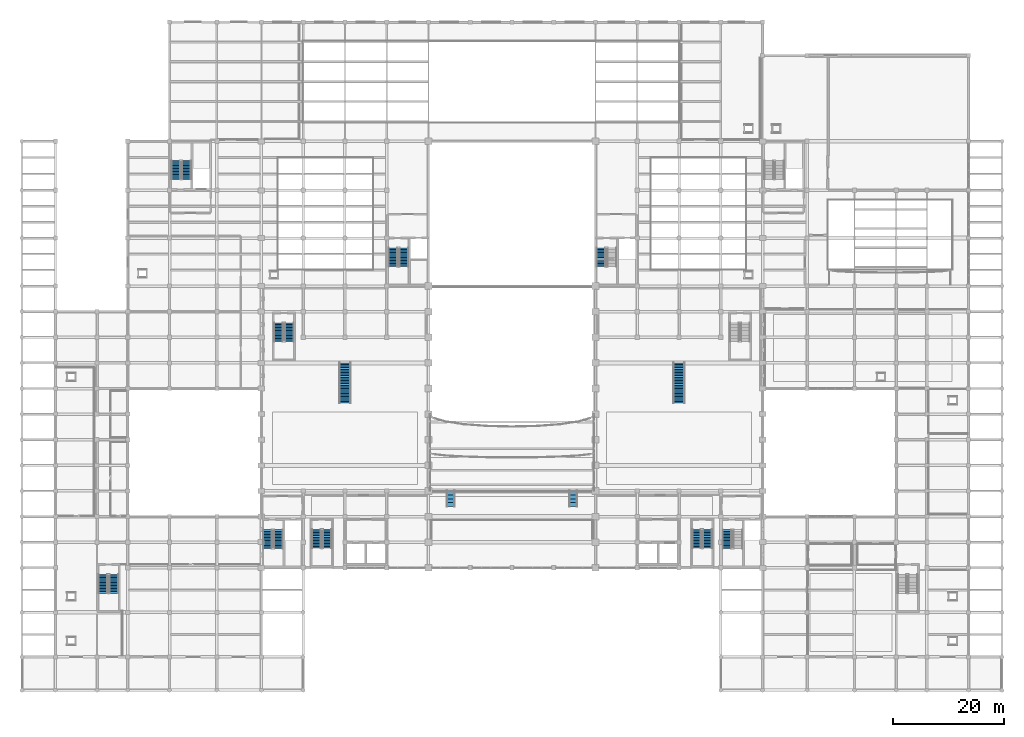
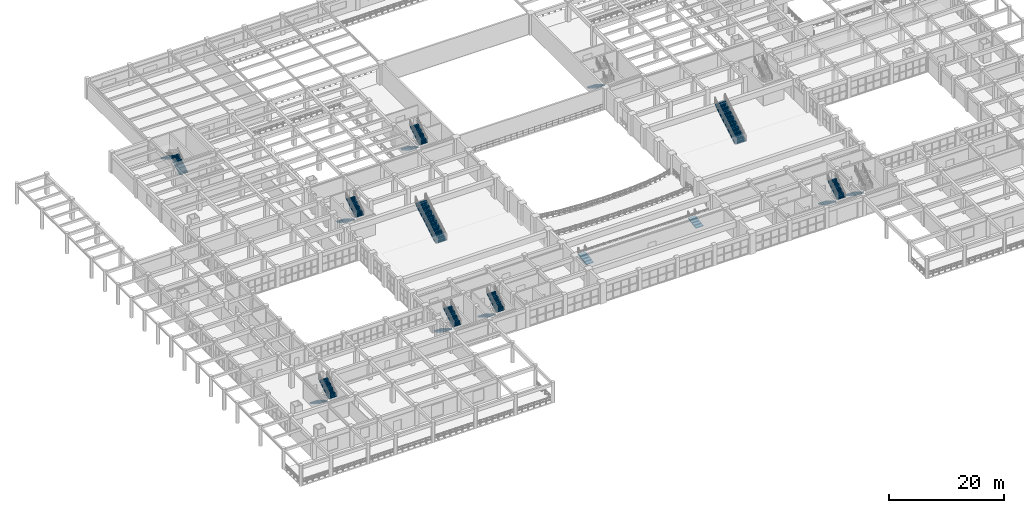
# One storey, part 104 of 116: 20 stair flights, 13 elements without a shape of their own.
"""IFC4 building model written with IfcOpenShell, lengths in metres."""

from ifc_helpers import new_model, si_unit, direction, frame, origin, place, context, subcontext, project, spatial, polyline, outline, extrude, material, type_object, element, aggregate, save


model = new_model("IFC4")

# Units and contexts
model_context = context("Model", 3, precision=1e-05, world=origin(), true_north=direction((0.0, 1.0)))
body_context = subcontext(model_context, "Body", "Model", "MODEL_VIEW")
ifc_project = project(units=[si_unit("LENGTHUNIT", "METRE"), si_unit("AREAUNIT", "SQUARE_METRE"), si_unit("VOLUMEUNIT", "CUBIC_METRE"), si_unit("PLANEANGLEUNIT", "RADIAN"), si_unit("MASSUNIT", "GRAM", prefix="KILO")], contexts=[model_context])

# Site, building, storey
site_placement = place(None, origin())
site = spatial("IfcSite", under=ifc_project, at=site_placement, CompositionType="ELEMENT")
building_placement = place(site_placement, origin())
building = spatial("IfcBuilding", under=site, at=building_placement, Name="Muzn Square Opera House", CompositionType="ELEMENT")
storey_placement = place(building_placement, frame((0.0, 0.0, 5.39990234375)))
storey = spatial("IfcBuildingStorey", under=building, at=storey_placement, Name="L01", CompositionType="ELEMENT", Elevation=5.39990234375)

# Stair, stair flights
ifc_material = material(Name="Concrete C40/50", Category="concrete")
stair_type_1 = type_object("IfcStairType", Name="Core Escape Dogleg Stair", PredefinedType="HALF_TURN_STAIR", material=ifc_material)
stair_1_placement = place(storey_placement, origin())
stair_1 = element("IfcStair", 1, at=stair_1_placement, inside=storey, type_object=stair_type_1, Name="L01 Escape Stair ST-1", PredefinedType="HALF_TURN_STAIR")
stair_flight_type_1 = type_object("IfcStairFlightType", Name="Core Stair Flight 1660mm", PredefinedType="STRAIGHT", material=ifc_material)
stair_flight_1_placement = place(storey_placement, frame((66.6298828125, 79.43994140625, 0.0), z_axis=(0.0, 0.0, 1.0), x_axis=(0.0, -1.0, 0.0)))
stair_flight_1 = element("IfcStairFlight", 2, at=stair_flight_1_placement, type_object=stair_flight_type_1, Name="ST-1 flight 1", NumberOfRisers=13, NumberOfTreads=12, PredefinedType="STRAIGHT", RiserHeight=0.169230769, TreadLength=0.28, context=body_context, shape_type="SweptSolid", body=[
    extrude(outline(polyline([(0.0, 0.0), (0.0, 0.169189453125), (0.280029296875, 0.169189453125), (0.280029296875, 0.33837890625), (0.56005859375, 0.33837890625), (0.56005859375, 0.5078125), (0.840087890625, 0.5078125), (0.840087890625, 0.677001953125), (1.1201171875, 0.677001953125), (1.1201171875, 0.84619140625), (1.39990234375, 0.84619140625), (1.39990234375, 1.015380859375), (1.679931640625, 1.015380859375), (1.679931640625, 1.1845703125), (1.9599609375, 1.1845703125), (1.9599609375, 1.353759765625), (2.239990234375, 1.353759765625), (2.239990234375, 1.523193359375), (2.52001953125, 1.523193359375), (2.52001953125, 1.6923828125), (2.800048828125, 1.6923828125), (2.800048828125, 1.861572265625), (3.080078125, 1.861572265625), (3.080078125, 2.03076171875), (3.360107421875, 2.03076171875), (3.360107421875, 2.199951171875), (3.360107421875, 1.820556640625), (0.347900390625, 0.0), (0.0, 0.0)])), frame((0.0, 0.830078125, 0.0), z_axis=(0.0, -1.0, 0.0), x_axis=(1.0, 0.0, 0.0)), (0.0, 0.0, 1.0), 1.659912109375),
])
stair_flight_2_placement = place(storey_placement, frame((68.570068359375, 76.080078125, 2.2001953125), z_axis=(0.0, 0.0, 1.0), x_axis=(0.0, 1.0, 0.0)))
stair_flight_2 = element("IfcStairFlight", 3, at=stair_flight_2_placement, type_object=stair_flight_type_1, Name="ST-1 flight 2", NumberOfRisers=13, NumberOfTreads=12, PredefinedType="STRAIGHT", RiserHeight=0.169230769, TreadLength=0.28, context=body_context, shape_type="SweptSolid", body=[
    extrude(outline(polyline([(0.0, 0.0), (0.0, 0.169189453125), (0.280029296875, 0.169189453125), (0.280029296875, 0.33837890625), (0.56005859375, 0.33837890625), (0.56005859375, 0.5078125), (0.840087890625, 0.5078125), (0.840087890625, 0.677001953125), (1.1201171875, 0.677001953125), (1.1201171875, 0.84619140625), (1.39990234375, 0.84619140625), (1.39990234375, 1.015380859375), (1.679931640625, 1.015380859375), (1.679931640625, 1.1845703125), (1.9599609375, 1.1845703125), (1.9599609375, 1.353759765625), (2.239990234375, 1.353759765625), (2.239990234375, 1.523193359375), (2.52001953125, 1.523193359375), (2.52001953125, 1.6923828125), (2.800048828125, 1.6923828125), (2.800048828125, 1.861572265625), (3.080078125, 1.861572265625), (3.080078125, 2.03076171875), (3.360107421875, 2.03076171875), (3.360107421875, 2.199951171875), (3.360107421875, 1.820556640625), (0.347900390625, 0.0), (0.0, 0.0)])), frame((0.0, 0.830078125, 0.0), z_axis=(0.0, -1.0, 0.0), x_axis=(1.0, 0.0, 0.0)), (0.0, 0.0, 1.0), 1.659912109375),
])
aggregate(stair_1, [stair_flight_1, stair_flight_2])

# Stair, stair flight
stair_2_placement = place(storey_placement, origin())
stair_2 = element("IfcStair", 4, at=stair_2_placement, inside=storey, type_object=stair_type_1, Name="L01 Escape Stair ST-2", PredefinedType="HALF_TURN_STAIR")
stair_flight_3_placement = place(storey_placement, frame((104.0, 79.43994140625, 0.0), z_axis=(0.0, 0.0, 1.0), x_axis=(0.0, -1.0, 0.0)))
stair_flight_3 = element("IfcStairFlight", 5, at=stair_flight_3_placement, type_object=stair_flight_type_1, Name="ST-2 flight 1", NumberOfRisers=13, NumberOfTreads=12, PredefinedType="STRAIGHT", RiserHeight=0.169230769, TreadLength=0.28, context=body_context, shape_type="SweptSolid", body=[
    extrude(outline(polyline([(0.0, 0.0), (0.0, 0.169189453125), (0.280029296875, 0.169189453125), (0.280029296875, 0.33837890625), (0.56005859375, 0.33837890625), (0.56005859375, 0.5078125), (0.840087890625, 0.5078125), (0.840087890625, 0.677001953125), (1.1201171875, 0.677001953125), (1.1201171875, 0.84619140625), (1.39990234375, 0.84619140625), (1.39990234375, 1.015380859375), (1.679931640625, 1.015380859375), (1.679931640625, 1.1845703125), (1.9599609375, 1.1845703125), (1.9599609375, 1.353759765625), (2.239990234375, 1.353759765625), (2.239990234375, 1.523193359375), (2.52001953125, 1.523193359375), (2.52001953125, 1.6923828125), (2.800048828125, 1.6923828125), (2.800048828125, 1.861572265625), (3.080078125, 1.861572265625), (3.080078125, 2.03076171875), (3.360107421875, 2.03076171875), (3.360107421875, 2.199951171875), (3.360107421875, 1.820556640625), (0.347900390625, 0.0), (0.0, 0.0)])), frame((0.0, 0.830078125, 0.0), z_axis=(0.0, -1.0, 0.0), x_axis=(1.0, 0.0, 0.0)), (0.0, 0.0, 1.0), 1.659912109375),
])
aggregate(stair_2, [stair_flight_3])

# Stair, stair flights
stair_3_placement = place(storey_placement, origin())
stair_3 = element("IfcStair", 6, at=stair_3_placement, inside=storey, type_object=stair_type_1, Name="L01 Escape Stair ST-3", PredefinedType="HALF_TURN_STAIR")
stair_flight_4_placement = place(storey_placement, frame((44.1298828125, 28.840087890625, 0.0), z_axis=(0.0, 0.0, 1.0), x_axis=(0.0, -1.0, 0.0)))
stair_flight_4 = element("IfcStairFlight", 7, at=stair_flight_4_placement, type_object=stair_flight_type_1, Name="ST-3 flight 1", NumberOfRisers=13, NumberOfTreads=12, PredefinedType="STRAIGHT", RiserHeight=0.169230769, TreadLength=0.28, context=body_context, shape_type="SweptSolid", body=[
    extrude(outline(polyline([(0.0, 0.0), (0.0, 0.169189453125), (0.280029296875, 0.169189453125), (0.280029296875, 0.33837890625), (0.56005859375, 0.33837890625), (0.56005859375, 0.5078125), (0.840087890625, 0.5078125), (0.840087890625, 0.677001953125), (1.1201171875, 0.677001953125), (1.1201171875, 0.84619140625), (1.39990234375, 0.84619140625), (1.39990234375, 1.015380859375), (1.679931640625, 1.015380859375), (1.679931640625, 1.1845703125), (1.9599609375, 1.1845703125), (1.9599609375, 1.353759765625), (2.239990234375, 1.353759765625), (2.239990234375, 1.523193359375), (2.52001953125, 1.523193359375), (2.52001953125, 1.6923828125), (2.800048828125, 1.6923828125), (2.800048828125, 1.861572265625), (3.080078125, 1.861572265625), (3.080078125, 2.03076171875), (3.360107421875, 2.03076171875), (3.360107421875, 2.199951171875), (3.360107421875, 1.820556640625), (0.347900390625, 0.0), (0.0, 0.0)])), frame((0.0, 0.830078125, 0.0), z_axis=(0.0, -1.0, 0.0), x_axis=(1.0, 0.0, 0.0)), (0.0, 0.0, 1.0), 1.659912109375),
])
stair_flight_5_placement = place(storey_placement, frame((46.070068359375, 25.47998046875, 2.2001953125), z_axis=(0.0, 0.0, 1.0), x_axis=(0.0, 1.0, 0.0)))
stair_flight_5 = element("IfcStairFlight", 8, at=stair_flight_5_placement, type_object=stair_flight_type_1, Name="ST-3 flight 2", NumberOfRisers=13, NumberOfTreads=12, PredefinedType="STRAIGHT", RiserHeight=0.169230769, TreadLength=0.28, context=body_context, shape_type="SweptSolid", body=[
    extrude(outline(polyline([(0.0, 0.0), (0.0, 0.169189453125), (0.280029296875, 0.169189453125), (0.280029296875, 0.33837890625), (0.56005859375, 0.33837890625), (0.56005859375, 0.5078125), (0.840087890625, 0.5078125), (0.840087890625, 0.677001953125), (1.1201171875, 0.677001953125), (1.1201171875, 0.84619140625), (1.39990234375, 0.84619140625), (1.39990234375, 1.015380859375), (1.679931640625, 1.015380859375), (1.679931640625, 1.1845703125), (1.9599609375, 1.1845703125), (1.9599609375, 1.353759765625), (2.239990234375, 1.353759765625), (2.239990234375, 1.523193359375), (2.52001953125, 1.523193359375), (2.52001953125, 1.6923828125), (2.800048828125, 1.6923828125), (2.800048828125, 1.861572265625), (3.080078125, 1.861572265625), (3.080078125, 2.03076171875), (3.360107421875, 2.03076171875), (3.360107421875, 2.199951171875), (3.360107421875, 1.820556640625), (0.347900390625, 0.0), (0.0, 0.0)])), frame((0.0, 0.830078125, 0.0), z_axis=(0.0, -1.0, 0.0), x_axis=(1.0, 0.0, 0.0)), (0.0, 0.0, 1.0), 1.659912109375),
])
aggregate(stair_3, [stair_flight_4, stair_flight_5])

# Stair, stair flight
stair_4_placement = place(storey_placement, origin())
stair_4 = element("IfcStair", 9, at=stair_4_placement, inside=storey, type_object=stair_type_1, Name="L01 Escape Stair ST-4", PredefinedType="HALF_TURN_STAIR")
stair_flight_6_placement = place(storey_placement, frame((126.6298828125, 28.840087890625, 0.0), z_axis=(0.0, 0.0, 1.0), x_axis=(0.0, -1.0, 0.0)))
stair_flight_6 = element("IfcStairFlight", 10, at=stair_flight_6_placement, type_object=stair_flight_type_1, Name="ST-4 flight 1", NumberOfRisers=13, NumberOfTreads=12, PredefinedType="STRAIGHT", RiserHeight=0.169230769, TreadLength=0.28, context=body_context, shape_type="SweptSolid", body=[
    extrude(outline(polyline([(0.0, 0.0), (0.0, 0.169189453125), (0.280029296875, 0.169189453125), (0.280029296875, 0.33837890625), (0.56005859375, 0.33837890625), (0.56005859375, 0.5078125), (0.840087890625, 0.5078125), (0.840087890625, 0.677001953125), (1.1201171875, 0.677001953125), (1.1201171875, 0.84619140625), (1.39990234375, 0.84619140625), (1.39990234375, 1.015380859375), (1.679931640625, 1.015380859375), (1.679931640625, 1.1845703125), (1.9599609375, 1.1845703125), (1.9599609375, 1.353759765625), (2.239990234375, 1.353759765625), (2.239990234375, 1.523193359375), (2.52001953125, 1.523193359375), (2.52001953125, 1.6923828125), (2.800048828125, 1.6923828125), (2.800048828125, 1.861572265625), (3.080078125, 1.861572265625), (3.080078125, 2.03076171875), (3.360107421875, 2.03076171875), (3.360107421875, 2.199951171875), (3.360107421875, 1.820556640625), (0.347900390625, 0.0), (0.0, 0.0)])), frame((0.0, 0.830078125, 0.0), z_axis=(0.0, -1.0, 0.0), x_axis=(1.0, 0.0, 0.0)), (0.0, 0.0, 1.0), 1.659912109375),
])
aggregate(stair_4, [stair_flight_6])

# Stair, stair flights
stair_5_placement = place(storey_placement, origin())
stair_5 = element("IfcStair", 11, at=stair_5_placement, inside=storey, type_object=stair_type_1, Name="L01 Escape Stair ST-6", PredefinedType="HALF_TURN_STAIR")
stair_flight_7_placement = place(storey_placement, frame((29.570068359375, 91.760009765625, 0.0), z_axis=(0.0, 0.0, 1.0), x_axis=(0.0, 1.0, 0.0)))
stair_flight_7 = element("IfcStairFlight", 12, at=stair_flight_7_placement, type_object=stair_flight_type_1, Name="ST-6 flight 1", NumberOfRisers=13, NumberOfTreads=12, PredefinedType="STRAIGHT", RiserHeight=0.169230769, TreadLength=0.28, context=body_context, shape_type="SweptSolid", body=[
    extrude(outline(polyline([(0.0, 0.0), (0.0, 0.169189453125), (0.280029296875, 0.169189453125), (0.280029296875, 0.33837890625), (0.56005859375, 0.33837890625), (0.56005859375, 0.5078125), (0.840087890625, 0.5078125), (0.840087890625, 0.677001953125), (1.1201171875, 0.677001953125), (1.1201171875, 0.84619140625), (1.39990234375, 0.84619140625), (1.39990234375, 1.015380859375), (1.679931640625, 1.015380859375), (1.679931640625, 1.1845703125), (1.9599609375, 1.1845703125), (1.9599609375, 1.353759765625), (2.239990234375, 1.353759765625), (2.239990234375, 1.523193359375), (2.52001953125, 1.523193359375), (2.52001953125, 1.6923828125), (2.800048828125, 1.6923828125), (2.800048828125, 1.861572265625), (3.080078125, 1.861572265625), (3.080078125, 2.03076171875), (3.360107421875, 2.03076171875), (3.360107421875, 2.199951171875), (3.360107421875, 1.820556640625), (0.347900390625, 0.0), (0.0, 0.0)])), frame((0.0, 0.830078125, 0.0), z_axis=(0.0, -1.0, 0.0), x_axis=(1.0, 0.0, 0.0)), (0.0, 0.0, 1.0), 1.659912109375),
])
stair_flight_8_placement = place(storey_placement, frame((27.6298828125, 95.1201171875, 2.2001953125), z_axis=(0.0, 0.0, 1.0), x_axis=(0.0, -1.0, 0.0)))
stair_flight_8 = element("IfcStairFlight", 13, at=stair_flight_8_placement, type_object=stair_flight_type_1, Name="ST-6 flight 2", NumberOfRisers=13, NumberOfTreads=12, PredefinedType="STRAIGHT", RiserHeight=0.169230769, TreadLength=0.28, context=body_context, shape_type="SweptSolid", body=[
    extrude(outline(polyline([(0.0, 0.0), (0.0, 0.169189453125), (0.280029296875, 0.169189453125), (0.280029296875, 0.33837890625), (0.56005859375, 0.33837890625), (0.56005859375, 0.5078125), (0.840087890625, 0.5078125), (0.840087890625, 0.677001953125), (1.1201171875, 0.677001953125), (1.1201171875, 0.84619140625), (1.39990234375, 0.84619140625), (1.39990234375, 1.015380859375), (1.679931640625, 1.015380859375), (1.679931640625, 1.1845703125), (1.9599609375, 1.1845703125), (1.9599609375, 1.353759765625), (2.239990234375, 1.353759765625), (2.239990234375, 1.523193359375), (2.52001953125, 1.523193359375), (2.52001953125, 1.6923828125), (2.800048828125, 1.6923828125), (2.800048828125, 1.861572265625), (3.080078125, 1.861572265625), (3.080078125, 2.03076171875), (3.360107421875, 2.03076171875), (3.360107421875, 2.199951171875), (3.360107421875, 1.820556640625), (0.347900390625, 0.0), (0.0, 0.0)])), frame((0.0, 0.830078125, 0.0), z_axis=(0.0, -1.0, 0.0), x_axis=(1.0, 0.0, 0.0)), (0.0, 0.0, 1.0), 1.659912109375),
])
aggregate(stair_5, [stair_flight_7, stair_flight_8])

stair_6_placement = place(storey_placement, origin())
stair_6 = element("IfcStair", 14, at=stair_6_placement, inside=storey, type_object=stair_type_1, Name="L01 Escape Stair ST-7", PredefinedType="HALF_TURN_STAIR")
stair_flight_9_placement = place(storey_placement, frame((14.580078125, 20.7900390625, 0.0), z_axis=(0.0, 0.0, 1.0), x_axis=(0.0, -1.0, 0.0)))
stair_flight_9 = element("IfcStairFlight", 15, at=stair_flight_9_placement, type_object=stair_flight_type_1, Name="ST-7 flight 1", NumberOfRisers=13, NumberOfTreads=12, PredefinedType="STRAIGHT", RiserHeight=0.169230769, TreadLength=0.28, context=body_context, shape_type="SweptSolid", body=[
    extrude(outline(polyline([(0.0, 0.0), (0.0, 0.169189453125), (0.280029296875, 0.169189453125), (0.280029296875, 0.33837890625), (0.56005859375, 0.33837890625), (0.56005859375, 0.5078125), (0.840087890625, 0.5078125), (0.840087890625, 0.677001953125), (1.1201171875, 0.677001953125), (1.1201171875, 0.84619140625), (1.39990234375, 0.84619140625), (1.39990234375, 1.015380859375), (1.679931640625, 1.015380859375), (1.679931640625, 1.1845703125), (1.9599609375, 1.1845703125), (1.9599609375, 1.353759765625), (2.239990234375, 1.353759765625), (2.239990234375, 1.523193359375), (2.52001953125, 1.523193359375), (2.52001953125, 1.6923828125), (2.800048828125, 1.6923828125), (2.800048828125, 1.861572265625), (3.080078125, 1.861572265625), (3.080078125, 2.03076171875), (3.360107421875, 2.03076171875), (3.360107421875, 2.199951171875), (3.360107421875, 1.820556640625), (0.347900390625, 0.0), (0.0, 0.0)])), frame((0.0, 0.830078125, 0.0), z_axis=(0.0, -1.0, 0.0), x_axis=(1.0, 0.0, 0.0)), (0.0, 0.0, 1.0), 1.659912109375),
])
stair_flight_10_placement = place(storey_placement, frame((16.52001953125, 17.429931640625, 2.2001953125), z_axis=(0.0, 0.0, 1.0), x_axis=(0.0, 1.0, 0.0)))
stair_flight_10 = element("IfcStairFlight", 16, at=stair_flight_10_placement, type_object=stair_flight_type_1, Name="ST-7 flight 2", NumberOfRisers=13, NumberOfTreads=12, PredefinedType="STRAIGHT", RiserHeight=0.169230769, TreadLength=0.28, context=body_context, shape_type="SweptSolid", body=[
    extrude(outline(polyline([(0.0, 0.0), (0.0, 0.169189453125), (0.280029296875, 0.169189453125), (0.280029296875, 0.33837890625), (0.56005859375, 0.33837890625), (0.56005859375, 0.5078125), (0.840087890625, 0.5078125), (0.840087890625, 0.677001953125), (1.1201171875, 0.677001953125), (1.1201171875, 0.84619140625), (1.39990234375, 0.84619140625), (1.39990234375, 1.015380859375), (1.679931640625, 1.015380859375), (1.679931640625, 1.1845703125), (1.9599609375, 1.1845703125), (1.9599609375, 1.353759765625), (2.239990234375, 1.353759765625), (2.239990234375, 1.523193359375), (2.52001953125, 1.523193359375), (2.52001953125, 1.6923828125), (2.800048828125, 1.6923828125), (2.800048828125, 1.861572265625), (3.080078125, 1.861572265625), (3.080078125, 2.03076171875), (3.360107421875, 2.03076171875), (3.360107421875, 2.199951171875), (3.360107421875, 1.820556640625), (0.347900390625, 0.0), (0.0, 0.0)])), frame((0.0, 0.830078125, 0.0), z_axis=(0.0, -1.0, 0.0), x_axis=(1.0, 0.0, 0.0)), (0.0, 0.0, 1.0), 1.659912109375),
])
aggregate(stair_6, [stair_flight_9, stair_flight_10])

stair_7_placement = place(storey_placement, origin())
stair_7 = element("IfcStair", 17, at=stair_7_placement, inside=storey, type_object=stair_type_1, Name="L01 Escape Stair ST-9", PredefinedType="HALF_TURN_STAIR")
stair_flight_11_placement = place(storey_placement, frame((46.080078125, 65.989990234375, 0.0), z_axis=(0.0, 0.0, 1.0), x_axis=(0.0, -1.0, 0.0)))
stair_flight_11 = element("IfcStairFlight", 18, at=stair_flight_11_placement, type_object=stair_flight_type_1, Name="ST-9 flight 1", NumberOfRisers=13, NumberOfTreads=12, PredefinedType="STRAIGHT", RiserHeight=0.169230769, TreadLength=0.28, context=body_context, shape_type="SweptSolid", body=[
    extrude(outline(polyline([(0.0, 0.0), (0.0, 0.169189453125), (0.280029296875, 0.169189453125), (0.280029296875, 0.33837890625), (0.56005859375, 0.33837890625), (0.56005859375, 0.5078125), (0.840087890625, 0.5078125), (0.840087890625, 0.677001953125), (1.1201171875, 0.677001953125), (1.1201171875, 0.84619140625), (1.39990234375, 0.84619140625), (1.39990234375, 1.015380859375), (1.679931640625, 1.015380859375), (1.679931640625, 1.1845703125), (1.9599609375, 1.1845703125), (1.9599609375, 1.353759765625), (2.239990234375, 1.353759765625), (2.239990234375, 1.523193359375), (2.52001953125, 1.523193359375), (2.52001953125, 1.6923828125), (2.800048828125, 1.6923828125), (2.800048828125, 1.861572265625), (3.080078125, 1.861572265625), (3.080078125, 2.03076171875), (3.360107421875, 2.03076171875), (3.360107421875, 2.199951171875), (3.360107421875, 1.820556640625), (0.347900390625, 0.0), (0.0, 0.0)])), frame((0.0, 0.830078125, 0.0), z_axis=(0.0, -1.0, 0.0), x_axis=(1.0, 0.0, 0.0)), (0.0, 0.0, 1.0), 1.659912109375),
])
stair_flight_12_placement = place(storey_placement, frame((48.02001953125, 62.6298828125, 2.2001953125), z_axis=(0.0, 0.0, 1.0), x_axis=(0.0, 1.0, 0.0)))
stair_flight_12 = element("IfcStairFlight", 19, at=stair_flight_12_placement, type_object=stair_flight_type_1, Name="ST-9 flight 2", NumberOfRisers=13, NumberOfTreads=12, PredefinedType="STRAIGHT", RiserHeight=0.169230769, TreadLength=0.28, context=body_context, shape_type="SweptSolid", body=[
    extrude(outline(polyline([(0.0, 0.0), (0.0, 0.169189453125), (0.280029296875, 0.169189453125), (0.280029296875, 0.33837890625), (0.56005859375, 0.33837890625), (0.56005859375, 0.5078125), (0.840087890625, 0.5078125), (0.840087890625, 0.677001953125), (1.1201171875, 0.677001953125), (1.1201171875, 0.84619140625), (1.39990234375, 0.84619140625), (1.39990234375, 1.015380859375), (1.679931640625, 1.015380859375), (1.679931640625, 1.1845703125), (1.9599609375, 1.1845703125), (1.9599609375, 1.353759765625), (2.239990234375, 1.353759765625), (2.239990234375, 1.523193359375), (2.52001953125, 1.523193359375), (2.52001953125, 1.6923828125), (2.800048828125, 1.6923828125), (2.800048828125, 1.861572265625), (3.080078125, 1.861572265625), (3.080078125, 2.03076171875), (3.360107421875, 2.03076171875), (3.360107421875, 2.199951171875), (3.360107421875, 1.820556640625), (0.347900390625, 0.0), (0.0, 0.0)])), frame((0.0, 0.830078125, 0.0), z_axis=(0.0, -1.0, 0.0), x_axis=(1.0, 0.0, 0.0)), (0.0, 0.0, 1.0), 1.659912109375),
])
aggregate(stair_7, [stair_flight_11, stair_flight_12])

stair_8_placement = place(storey_placement, origin())
stair_8 = element("IfcStair", 20, at=stair_8_placement, inside=storey, type_object=stair_type_1, Name="L01 Escape Stair ST-11", PredefinedType="HALF_TURN_STAIR")
stair_flight_13_placement = place(storey_placement, frame((52.8798828125, 28.889892578125, 0.0), z_axis=(0.0, 0.0, 1.0), x_axis=(0.0, -1.0, 0.0)))
stair_flight_13 = element("IfcStairFlight", 21, at=stair_flight_13_placement, type_object=stair_flight_type_1, Name="ST-11 flight 1", NumberOfRisers=13, NumberOfTreads=12, PredefinedType="STRAIGHT", RiserHeight=0.169230769, TreadLength=0.28, context=body_context, shape_type="SweptSolid", body=[
    extrude(outline(polyline([(0.0, 0.0), (0.0, 0.169189453125), (0.280029296875, 0.169189453125), (0.280029296875, 0.33837890625), (0.56005859375, 0.33837890625), (0.56005859375, 0.5078125), (0.840087890625, 0.5078125), (0.840087890625, 0.677001953125), (1.1201171875, 0.677001953125), (1.1201171875, 0.84619140625), (1.39990234375, 0.84619140625), (1.39990234375, 1.015380859375), (1.679931640625, 1.015380859375), (1.679931640625, 1.1845703125), (1.9599609375, 1.1845703125), (1.9599609375, 1.353759765625), (2.239990234375, 1.353759765625), (2.239990234375, 1.523193359375), (2.52001953125, 1.523193359375), (2.52001953125, 1.6923828125), (2.800048828125, 1.6923828125), (2.800048828125, 1.861572265625), (3.080078125, 1.861572265625), (3.080078125, 2.03076171875), (3.360107421875, 2.03076171875), (3.360107421875, 2.199951171875), (3.360107421875, 1.820556640625), (0.347900390625, 0.0), (0.0, 0.0)])), frame((0.0, 0.830078125, 0.0), z_axis=(0.0, -1.0, 0.0), x_axis=(1.0, 0.0, 0.0)), (0.0, 0.0, 1.0), 1.659912109375),
])
stair_flight_14_placement = place(storey_placement, frame((54.820068359375, 25.530029296875, 2.2001953125), z_axis=(0.0, 0.0, 1.0), x_axis=(0.0, 1.0, 0.0)))
stair_flight_14 = element("IfcStairFlight", 22, at=stair_flight_14_placement, type_object=stair_flight_type_1, Name="ST-11 flight 2", NumberOfRisers=13, NumberOfTreads=12, PredefinedType="STRAIGHT", RiserHeight=0.169230769, TreadLength=0.28, context=body_context, shape_type="SweptSolid", body=[
    extrude(outline(polyline([(0.0, 0.0), (0.0, 0.169189453125), (0.280029296875, 0.169189453125), (0.280029296875, 0.33837890625), (0.56005859375, 0.33837890625), (0.56005859375, 0.5078125), (0.840087890625, 0.5078125), (0.840087890625, 0.677001953125), (1.1201171875, 0.677001953125), (1.1201171875, 0.84619140625), (1.39990234375, 0.84619140625), (1.39990234375, 1.015380859375), (1.679931640625, 1.015380859375), (1.679931640625, 1.1845703125), (1.9599609375, 1.1845703125), (1.9599609375, 1.353759765625), (2.239990234375, 1.353759765625), (2.239990234375, 1.523193359375), (2.52001953125, 1.523193359375), (2.52001953125, 1.6923828125), (2.800048828125, 1.6923828125), (2.800048828125, 1.861572265625), (3.080078125, 1.861572265625), (3.080078125, 2.03076171875), (3.360107421875, 2.03076171875), (3.360107421875, 2.199951171875), (3.360107421875, 1.820556640625), (0.347900390625, 0.0), (0.0, 0.0)])), frame((0.0, 0.830078125, 0.0), z_axis=(0.0, -1.0, 0.0), x_axis=(1.0, 0.0, 0.0)), (0.0, 0.0, 1.0), 1.659912109375),
])
aggregate(stair_8, [stair_flight_13, stair_flight_14])

stair_9_placement = place(storey_placement, origin())
stair_9 = element("IfcStair", 23, at=stair_9_placement, inside=storey, type_object=stair_type_1, Name="L01 Escape Stair ST-12", PredefinedType="HALF_TURN_STAIR")
stair_flight_15_placement = place(storey_placement, frame((121.179931640625, 28.889892578125, 0.0), z_axis=(0.0, 0.0, 1.0), x_axis=(0.0, -1.0, 0.0)))
stair_flight_15 = element("IfcStairFlight", 24, at=stair_flight_15_placement, type_object=stair_flight_type_1, Name="ST-12 flight 1", NumberOfRisers=13, NumberOfTreads=12, PredefinedType="STRAIGHT", RiserHeight=0.169230769, TreadLength=0.28, context=body_context, shape_type="SweptSolid", body=[
    extrude(outline(polyline([(0.0, 0.0), (0.0, 0.169189453125), (0.280029296875, 0.169189453125), (0.280029296875, 0.33837890625), (0.56005859375, 0.33837890625), (0.56005859375, 0.5078125), (0.840087890625, 0.5078125), (0.840087890625, 0.677001953125), (1.1201171875, 0.677001953125), (1.1201171875, 0.84619140625), (1.39990234375, 0.84619140625), (1.39990234375, 1.015380859375), (1.679931640625, 1.015380859375), (1.679931640625, 1.1845703125), (1.9599609375, 1.1845703125), (1.9599609375, 1.353759765625), (2.239990234375, 1.353759765625), (2.239990234375, 1.523193359375), (2.52001953125, 1.523193359375), (2.52001953125, 1.6923828125), (2.800048828125, 1.6923828125), (2.800048828125, 1.861572265625), (3.080078125, 1.861572265625), (3.080078125, 2.03076171875), (3.360107421875, 2.03076171875), (3.360107421875, 2.199951171875), (3.360107421875, 1.820556640625), (0.347900390625, 0.0), (0.0, 0.0)])), frame((0.0, 0.830078125, 0.0), z_axis=(0.0, -1.0, 0.0), x_axis=(1.0, 0.0, 0.0)), (0.0, 0.0, 1.0), 1.659912109375),
])
stair_flight_16_placement = place(storey_placement, frame((123.1201171875, 25.530029296875, 2.2001953125), z_axis=(0.0, 0.0, 1.0), x_axis=(0.0, 1.0, 0.0)))
stair_flight_16 = element("IfcStairFlight", 25, at=stair_flight_16_placement, type_object=stair_flight_type_1, Name="ST-12 flight 2", NumberOfRisers=13, NumberOfTreads=12, PredefinedType="STRAIGHT", RiserHeight=0.169230769, TreadLength=0.28, context=body_context, shape_type="SweptSolid", body=[
    extrude(outline(polyline([(0.0, 0.0), (0.0, 0.169189453125), (0.280029296875, 0.169189453125), (0.280029296875, 0.33837890625), (0.56005859375, 0.33837890625), (0.56005859375, 0.5078125), (0.840087890625, 0.5078125), (0.840087890625, 0.677001953125), (1.1201171875, 0.677001953125), (1.1201171875, 0.84619140625), (1.39990234375, 0.84619140625), (1.39990234375, 1.015380859375), (1.679931640625, 1.015380859375), (1.679931640625, 1.1845703125), (1.9599609375, 1.1845703125), (1.9599609375, 1.353759765625), (2.239990234375, 1.353759765625), (2.239990234375, 1.523193359375), (2.52001953125, 1.523193359375), (2.52001953125, 1.6923828125), (2.800048828125, 1.6923828125), (2.800048828125, 1.861572265625), (3.080078125, 1.861572265625), (3.080078125, 2.03076171875), (3.360107421875, 2.03076171875), (3.360107421875, 2.199951171875), (3.360107421875, 1.820556640625), (0.347900390625, 0.0), (0.0, 0.0)])), frame((0.0, 0.830078125, 0.0), z_axis=(0.0, -1.0, 0.0), x_axis=(1.0, 0.0, 0.0)), (0.0, 0.0, 1.0), 1.659912109375),
])
aggregate(stair_9, [stair_flight_15, stair_flight_16])

# Stair, stair flight
stair_type_2 = type_object("IfcStairType", Name="Grand Foyer Promenade Stair", PredefinedType="STRAIGHT_RUN_STAIR", material=ifc_material)
stair_10_placement = place(storey_placement, origin())
stair_10 = element("IfcStair", 26, at=stair_10_placement, inside=storey, type_object=stair_type_2, Name="Grand Foyer Ceremonial Stair FS-01", PredefinedType="STRAIGHT_RUN_STAIR")
stair_flight_type_2 = type_object("IfcStairFlightType", Name="Foyer Stair Flight 2200mm", PredefinedType="STRAIGHT", material=ifc_material)
stair_flight_17_placement = place(storey_placement, frame((58.0, 51.60009765625, 0.0), z_axis=(0.0, 0.0, 1.0), x_axis=(0.0, 1.0, 0.0)))
stair_flight_17 = element("IfcStairFlight", 27, at=stair_flight_17_placement, type_object=stair_flight_type_2, Name="FS-01 flight 1", NumberOfRisers=26, NumberOfTreads=25, PredefinedType="STRAIGHT", RiserHeight=0.169231, TreadLength=0.288, context=body_context, shape_type="SweptSolid", body=[
    extrude(outline(polyline([(0.0, 0.0), (0.0, 0.169189453125), (0.2880859375, 0.169189453125), (0.2880859375, 0.33837890625), (0.575927734375, 0.33837890625), (0.575927734375, 0.5078125), (0.864013671875, 0.5078125), (0.864013671875, 0.677001953125), (1.152099609375, 0.677001953125), (1.152099609375, 0.84619140625), (1.43994140625, 0.84619140625), (1.43994140625, 1.015380859375), (1.72802734375, 1.015380859375), (1.72802734375, 1.1845703125), (2.01611328125, 1.1845703125), (2.01611328125, 1.353759765625), (2.303955078125, 1.353759765625), (2.303955078125, 1.523193359375), (2.592041015625, 1.523193359375), (2.592041015625, 1.6923828125), (2.8798828125, 1.6923828125), (2.8798828125, 1.861572265625), (3.16796875, 1.861572265625), (3.16796875, 2.03076171875), (3.4560546875, 2.03076171875), (3.4560546875, 2.199951171875), (3.743896484375, 2.199951171875), (3.743896484375, 2.369140625), (4.031982421875, 2.369140625), (4.031982421875, 2.53857421875), (4.320068359375, 2.53857421875), (4.320068359375, 2.707763671875), (4.60791015625, 2.707763671875), (4.60791015625, 2.876953125), (4.89599609375, 2.876953125), (4.89599609375, 3.046142578125), (5.18408203125, 3.046142578125), (5.18408203125, 3.21533203125), (5.471923828125, 3.21533203125), (5.471923828125, 3.384521484375), (5.760009765625, 3.384521484375), (5.760009765625, 3.553955078125), (6.048095703125, 3.553955078125), (6.048095703125, 3.72314453125), (6.3359375, 3.72314453125), (6.3359375, 3.892333984375), (6.6240234375, 3.892333984375), (6.6240234375, 4.0615234375), (6.912109375, 4.0615234375), (6.912109375, 4.230712890625), (7.199951171875, 4.230712890625), (7.199951171875, 4.39990234375), (7.199951171875, 3.9755859375), (0.43408203125, 0.0), (0.0, 0.0)])), frame((0.0, 1.10009765625, 0.0), z_axis=(0.0, -1.0, 0.0), x_axis=(1.0, 0.0, 0.0)), (0.0, 0.0, 1.0), 2.199951171875),
])
aggregate(stair_10, [stair_flight_17])

stair_11_placement = place(storey_placement, origin())
stair_11 = element("IfcStair", 28, at=stair_11_placement, inside=storey, type_object=stair_type_2, Name="Grand Foyer Ceremonial Stair FS-02", PredefinedType="STRAIGHT_RUN_STAIR")
stair_flight_18_placement = place(storey_placement, frame((118.0, 51.60009765625, 0.0), z_axis=(0.0, 0.0, 1.0), x_axis=(0.0, 1.0, 0.0)))
stair_flight_18 = element("IfcStairFlight", 29, at=stair_flight_18_placement, type_object=stair_flight_type_2, Name="FS-02 flight 1", NumberOfRisers=26, NumberOfTreads=25, PredefinedType="STRAIGHT", RiserHeight=0.169231, TreadLength=0.288, context=body_context, shape_type="SweptSolid", body=[
    extrude(outline(polyline([(0.0, 0.0), (0.0, 0.169189453125), (0.2880859375, 0.169189453125), (0.2880859375, 0.33837890625), (0.575927734375, 0.33837890625), (0.575927734375, 0.5078125), (0.864013671875, 0.5078125), (0.864013671875, 0.677001953125), (1.152099609375, 0.677001953125), (1.152099609375, 0.84619140625), (1.43994140625, 0.84619140625), (1.43994140625, 1.015380859375), (1.72802734375, 1.015380859375), (1.72802734375, 1.1845703125), (2.01611328125, 1.1845703125), (2.01611328125, 1.353759765625), (2.303955078125, 1.353759765625), (2.303955078125, 1.523193359375), (2.592041015625, 1.523193359375), (2.592041015625, 1.6923828125), (2.8798828125, 1.6923828125), (2.8798828125, 1.861572265625), (3.16796875, 1.861572265625), (3.16796875, 2.03076171875), (3.4560546875, 2.03076171875), (3.4560546875, 2.199951171875), (3.743896484375, 2.199951171875), (3.743896484375, 2.369140625), (4.031982421875, 2.369140625), (4.031982421875, 2.53857421875), (4.320068359375, 2.53857421875), (4.320068359375, 2.707763671875), (4.60791015625, 2.707763671875), (4.60791015625, 2.876953125), (4.89599609375, 2.876953125), (4.89599609375, 3.046142578125), (5.18408203125, 3.046142578125), (5.18408203125, 3.21533203125), (5.471923828125, 3.21533203125), (5.471923828125, 3.384521484375), (5.760009765625, 3.384521484375), (5.760009765625, 3.553955078125), (6.048095703125, 3.553955078125), (6.048095703125, 3.72314453125), (6.3359375, 3.72314453125), (6.3359375, 3.892333984375), (6.6240234375, 3.892333984375), (6.6240234375, 4.0615234375), (6.912109375, 4.0615234375), (6.912109375, 4.230712890625), (7.199951171875, 4.230712890625), (7.199951171875, 4.39990234375), (7.199951171875, 3.9755859375), (0.43408203125, 0.0), (0.0, 0.0)])), frame((0.0, 1.10009765625, 0.0), z_axis=(0.0, -1.0, 0.0), x_axis=(1.0, 0.0, 0.0)), (0.0, 0.0, 1.0), 2.199951171875),
])
aggregate(stair_11, [stair_flight_18])

stair_type_3 = type_object("IfcStairType", Name="Auditorium Vomitory Stair", PredefinedType="STRAIGHT_RUN_STAIR", material=ifc_material)
stair_12_placement = place(storey_placement, origin())
stair_12 = element("IfcStair", 30, at=stair_12_placement, inside=storey, type_object=stair_type_3, Name="Vomitory Stair VS-05", PredefinedType="STRAIGHT_RUN_STAIR")
stair_flight_type_3 = type_object("IfcStairFlightType", Name="Vomitory Stair Flight 1500mm", PredefinedType="STRAIGHT", material=ifc_material)
stair_flight_19_placement = place(storey_placement, frame((77.0, 33.0, 0.0), z_axis=(0.0, 0.0, 1.0), x_axis=(0.0, 1.0, 0.0)))
stair_flight_19 = element("IfcStairFlight", 31, at=stair_flight_19_placement, type_object=stair_flight_type_3, Name="VS-05 flight 1", NumberOfRisers=5, NumberOfTreads=4, PredefinedType="STRAIGHT", RiserHeight=0.144, TreadLength=0.7, context=body_context, shape_type="SweptSolid", body=[
    extrude(outline(polyline([(0.0, 0.0), (0.0, 0.14404296875), (0.699951171875, 0.14404296875), (0.699951171875, 0.2880859375), (1.39990234375, 0.2880859375), (1.39990234375, 0.431884765625), (2.10009765625, 0.431884765625), (2.10009765625, 0.575927734375), (2.800048828125, 0.575927734375), (2.800048828125, 0.719970703125), (2.800048828125, 0.412841796875), (0.793701171875, 0.0), (0.0, 0.0)])), frame((0.0, 0.75, 0.0), z_axis=(0.0, -1.0, 0.0), x_axis=(1.0, 0.0, 0.0)), (0.0, 0.0, 1.0), 1.5),
])
aggregate(stair_12, [stair_flight_19])

stair_13_placement = place(storey_placement, origin())
stair_13 = element("IfcStair", 32, at=stair_13_placement, inside=storey, type_object=stair_type_3, Name="Vomitory Stair VS-06", PredefinedType="STRAIGHT_RUN_STAIR")
stair_flight_20_placement = place(storey_placement, frame((99.0, 33.0, 0.0), z_axis=(0.0, 0.0, 1.0), x_axis=(0.0, 1.0, 0.0)))
stair_flight_20 = element("IfcStairFlight", 33, at=stair_flight_20_placement, type_object=stair_flight_type_3, Name="VS-06 flight 1", NumberOfRisers=5, NumberOfTreads=4, PredefinedType="STRAIGHT", RiserHeight=0.144, TreadLength=0.7, context=body_context, shape_type="SweptSolid", body=[
    extrude(outline(polyline([(0.0, 0.0), (0.0, 0.14404296875), (0.699951171875, 0.14404296875), (0.699951171875, 0.2880859375), (1.39990234375, 0.2880859375), (1.39990234375, 0.431884765625), (2.10009765625, 0.431884765625), (2.10009765625, 0.575927734375), (2.800048828125, 0.575927734375), (2.800048828125, 0.719970703125), (2.800048828125, 0.412841796875), (0.793701171875, 0.0), (0.0, 0.0)])), frame((0.0, 0.75, 0.0), z_axis=(0.0, -1.0, 0.0), x_axis=(1.0, 0.0, 0.0)), (0.0, 0.0, 1.0), 1.5),
])
aggregate(stair_13, [stair_flight_20])

save(model, "model.ifc")
